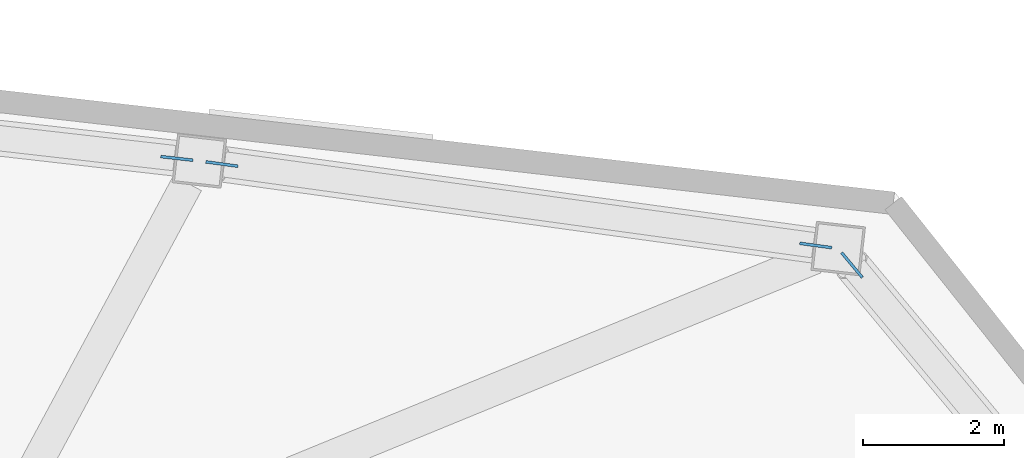
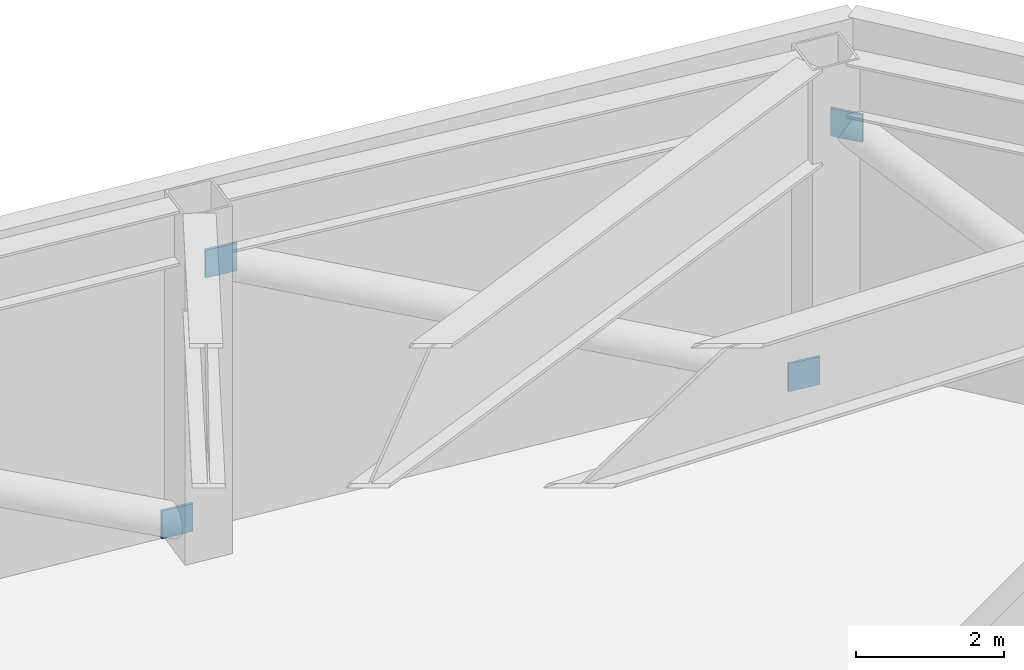
# One storey, part 13 of 14: 4 discrete accessories.
"""IFC4 building model written with IfcOpenShell, lengths in metres."""

from ifc_helpers import new_model, si_unit, direction, frame, origin, origin_2d, place, context, subcontext, project, spatial, rectangle, extrude, material, type_object, element, save


model = new_model("IFC4")

# Units and contexts
model_context = context("Model", 3, precision=1e-05, world=origin(), true_north=direction((0.0, 1.0)))
body_context = subcontext(model_context, "Body", "Model", "MODEL_VIEW")
ifc_project = project(units=[si_unit("LENGTHUNIT", "METRE"), si_unit("AREAUNIT", "SQUARE_METRE"), si_unit("VOLUMEUNIT", "CUBIC_METRE"), si_unit("PLANEANGLEUNIT", "RADIAN"), si_unit("MASSUNIT", "GRAM", prefix="KILO")], contexts=[model_context])

# Site, building, storey
site_placement = place(None, origin())
site = spatial("IfcSite", under=ifc_project, at=site_placement, CompositionType="ELEMENT")
building_placement = place(site_placement, origin())
building = spatial("IfcBuilding", under=site, at=building_placement, Name="Tavrogorsk Clinical Tower", CompositionType="ELEMENT")
storey_placement = place(building_placement, frame((0.0, 0.0, 83.39990234375)))
storey = spatial("IfcBuildingStorey", under=building, at=storey_placement, Name="L18", CompositionType="ELEMENT", Elevation=83.39990234375)

# Discrete accessories
ifc_material = material(Name="Structural steel S440", Category="steel")
discrete_accessory_type = type_object("IfcDiscreteAccessoryType", Name="GussetPlateBracket_25", PredefinedType="BRACKET", material=ifc_material)
for number, where, z_axis, x_axis, name in (
    (1, (37.19189453125, 18.089111328125, 4.37255859375), (0.0, 0.0, 1.0), (-0.640243780506, 0.768171791674, 0.0), "L18 Brace Gusset Plate EXOBELT-L18-13-B"),
    (2, (36.677490234375, 18.3671875, 0.2763671875), (0.0, 0.0, 1.0), (-0.990724138546, 0.135888488485, 0.0), "L18 Brace Gusset Plate EXOBELT-L18-14-A"),
    (3, (28.2451171875, 19.52392578125, 4.40380859375), (0.0, 0.0, 1.0), (-0.990724138546, 0.135888488485, 0.0), "L18 Brace Gusset Plate EXOBELT-L18-14-B"),
    (4, (27.605712890625, 19.604248046875, 0.276123046875), (0.0, 0.0, 1.0), (-0.993571855677, 0.113203213768, 0.0), "L18 Brace Gusset Plate EXOBELT-L18-15-A"),
):
    element("IfcDiscreteAccessory", number, at=place(storey_placement, frame(where, z_axis=z_axis, x_axis=x_axis)), inside=storey, type_object=discrete_accessory_type, Name=name, PredefinedType="BRACKET", context=body_context, shape_type="SweptSolid", body=[
        extrude(rectangle(XDim=0.4599609375, YDim=0.0400390625, at=origin_2d()), origin(), (0.0, 0.0, 1.0), 0.4599609375),
    ])

save(model, "model.ifc")
